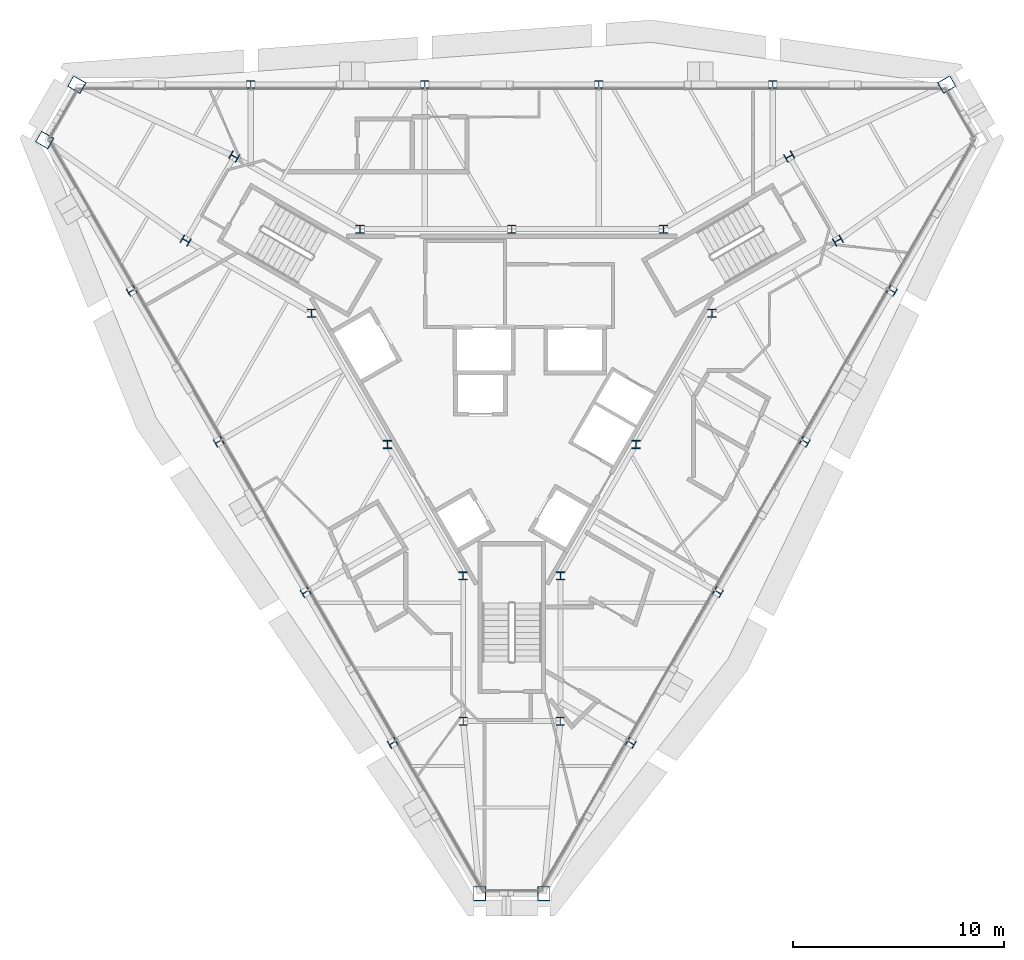
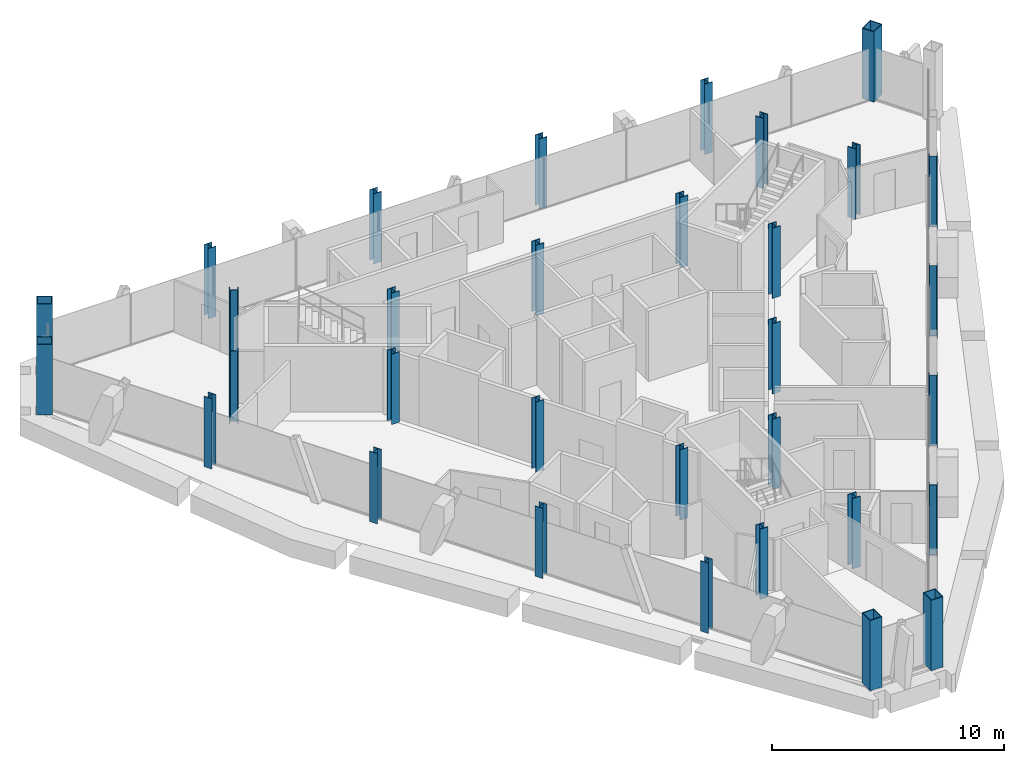
# One storey, part 1 of 12: 32 columns.
"""IFC4 building model written with IfcOpenShell, lengths in metres."""

from ifc_helpers import new_model, si_unit, direction, frame, origin, origin_2d, place, context, subcontext, project, spatial, hollow_rectangle, i_section, extrude, material, material_profile, profile_set, type_object, element, save


model = new_model("IFC4")

# Units and contexts
model_context = context("Model", 3, precision=1e-05, world=origin(), true_north=direction((0.0, 1.0)))
body_context = subcontext(model_context, "Body", "Model", "MODEL_VIEW")
ifc_project = project(units=[si_unit("LENGTHUNIT", "METRE"), si_unit("AREAUNIT", "SQUARE_METRE"), si_unit("VOLUMEUNIT", "CUBIC_METRE"), si_unit("PLANEANGLEUNIT", "RADIAN"), si_unit("MASSUNIT", "GRAM", prefix="KILO")], contexts=[model_context])

# Site, building, storey
site_placement = place(None, origin())
site = spatial("IfcSite", under=ifc_project, at=site_placement, CompositionType="ELEMENT")
building_placement = place(site_placement, origin())
building = spatial("IfcBuilding", under=site, at=building_placement, Name="Verrane Prism Tower", CompositionType="ELEMENT")
storey_placement = place(building_placement, frame((0.0, 0.0, 271.39990234375)))
storey = spatial("IfcBuildingStorey", under=building, at=storey_placement, Name="L68", CompositionType="ELEMENT", Elevation=271.39990234375)

# Columns
ifc_material_1 = material(Name="Steel A992", Category="steel")
ifc_material_profile_1 = material_profile(ifc_material_1, i_section(OverallWidth=0.4013671875, OverallDepth=0.398681640625, WebThickness=0.02490234375, FlangeThickness=0.03955078125, FilletRadius=0.01513671875, at=origin_2d()), Name="W14x211")
ifc_profile_set_1 = profile_set([ifc_material_profile_1], Name="Steel A992")
column_type_1 = type_object("IfcColumnType", Name="Core corner column W14x211", PredefinedType="COLUMN", material=ifc_profile_set_1)
for number, where, z_axis, x_axis, name in (
    (1, (15.43994140625, 6.260009765625, 0.0), (0.0, 0.0, 1.0), (0.5, -0.866025403784, 0.0), "Core corner column CK-NEm L68"),
    (2, (13.139892578125, 10.239990234375, 0.0), (0.0, 0.0, 1.0), (0.5, -0.866025403784, 0.0), "Core corner column CK-NEp L68"),
    (3, (-13.139892578125, 10.239990234375, 0.0), (0.0, 0.0, 1.0), (0.5, 0.866025403784, 0.0), "Core corner column CK-NWm L68"),
    (4, (-15.43994140625, 6.260009765625, 0.0), (0.0, 0.0, 1.0), (0.5, 0.866025403784, 0.0), "Core corner column CK-NWp L68"),
    (5, (-2.300048828125, -16.5, 0.0), (0.0, 0.0, 1.0), (-1.0, 0.0, 0.0), "Core corner column CK-Sm L68"),
    (6, (2.300048828125, -16.5, 0.0), (0.0, 0.0, 1.0), (-1.0, 0.0, 0.0), "Core corner column CK-Sp L68"),
):
    element("IfcColumn", number, at=place(storey_placement, frame(where, z_axis=z_axis, x_axis=x_axis)), inside=storey, type_object=column_type_1, Name=name, PredefinedType="COLUMN", context=body_context, shape_type="SweptSolid", body=[
        extrude(i_section(OverallWidth=0.4013671875, OverallDepth=0.398681640625, WebThickness=0.02490234375, FlangeThickness=0.03955078125, FilletRadius=0.01513671875, at=origin_2d()), origin(), (0.0, 0.0, 1.0), 3.7001953125),
    ])
ifc_material_2 = material(Name="Steel A992", Category="steel")
ifc_material_profile_2 = material_profile(ifc_material_2, i_section(OverallWidth=0.398681640625, OverallDepth=0.385986328125, WebThickness=0.02099609375, FlangeThickness=0.033203125, FilletRadius=0.01513671875, at=origin_2d()), Name="W14x176")
ifc_profile_set_2 = profile_set([ifc_material_profile_2], Name="Steel A992")
column_type_2 = type_object("IfcColumnType", Name="Core side column W14x176", PredefinedType="COLUMN", material=ifc_profile_set_2)
for number, where, z_axis, x_axis, name in (
    (7, (9.47998046875, 2.820068359375, 0.0), (0.0, 0.0, 1.0), (1.0, 0.0, 0.0), "Core side column CC-NEm L68"),
    (8, (7.179931640625, 6.800048828125, 0.0), (0.0, 0.0, 1.0), (1.0, 0.0, 0.0), "Core side column CC-NEp L68"),
    (9, (0.0, 6.800048828125, 0.0), (0.0, 0.0, 1.0), (1.0, 0.0, 0.0), "Core side column CC-N0 L68"),
    (10, (-7.179931640625, 6.800048828125, 0.0), (0.0, 0.0, 1.0), (1.0, 0.0, 0.0), "Core side column CC-NWm L68"),
    (11, (-9.47998046875, 2.820068359375, 0.0), (0.0, 0.0, 1.0), (1.0, 0.0, 0.0), "Core side column CC-NWp L68"),
    (12, (-5.889892578125, -3.39990234375, 0.0), (0.0, 0.0, 1.0), (1.0, 0.0, 0.0), "Core side column CC-SW0 L68"),
    (13, (-2.300048828125, -9.6201171875, 0.0), (0.0, 0.0, 1.0), (1.0, 0.0, 0.0), "Core side column CC-Sm L68"),
    (14, (2.300048828125, -9.6201171875, 0.0), (0.0, 0.0, 1.0), (1.0, 0.0, 0.0), "Core side column CC-Sp L68"),
    (15, (5.889892578125, -3.39990234375, 0.0), (0.0, 0.0, 1.0), (1.0, 0.0, 0.0), "Core side column CC-SE0 L68"),
):
    element("IfcColumn", number, at=place(storey_placement, frame(where, z_axis=z_axis, x_axis=x_axis)), inside=storey, type_object=column_type_2, Name=name, PredefinedType="COLUMN", context=body_context, shape_type="SweptSolid", body=[
        extrude(i_section(OverallWidth=0.398681640625, OverallDepth=0.385986328125, WebThickness=0.02099609375, FlangeThickness=0.033203125, FilletRadius=0.01513671875, at=origin_2d()), origin(), (0.0, 0.0, 1.0), 3.7001953125),
    ])
ifc_material_3 = material(Name="Steel A572 Grade 50", Category="steel")
ifc_material_profile_3 = material_profile(ifc_material_3, hollow_rectangle(XDim=0.60009765625, YDim=0.699951171875, WallThickness=0.0400390625, at=origin_2d()), Name="BOX 700x600x40")
ifc_profile_set_3 = profile_set([ifc_material_profile_3], Name="Steel A572 Grade 50")
column_type_3 = type_object("IfcColumnType", Name="Megacolumn BOX 700x600x40", PredefinedType="COLUMN", material=ifc_profile_set_3)
for number, where, z_axis, x_axis, name in (
    (16, (20.60009765625, 13.64990234375, 0.0), (0.0, 0.0, 1.0), (0.5, -0.866025403784, 0.0), "Megacolumn MC-NE.b L68"),
    (17, (-20.60009765625, 13.64990234375, 0.0), (0.0, 0.0, 1.0), (0.5, 0.866025403784, 0.0), "Megacolumn MC-NW.a L68"),
    (18, (-22.1201171875, 11.02001953125, 0.0), (0.0, 0.0, 1.0), (0.5, 0.866025403784, 0.0), "Megacolumn MC-NW.b L68"),
    (19, (-1.52001953125, -24.669921875, 0.0), (0.0, 0.0, 1.0), (-1.0, 0.0, 0.0), "Megacolumn MC-S.a L68"),
    (20, (1.52001953125, -24.669921875, 0.0), (0.0, 0.0, 1.0), (-1.0, 0.0, 0.0), "Megacolumn MC-S.b L68"),
):
    element("IfcColumn", number, at=place(storey_placement, frame(where, z_axis=z_axis, x_axis=x_axis)), inside=storey, type_object=column_type_3, Name=name, PredefinedType="COLUMN", context=body_context, shape_type="SweptSolid", body=[
        extrude(hollow_rectangle(XDim=0.60009765625, YDim=0.699951171875, WallThickness=0.0400390625, at=origin_2d()), origin(), (0.0, 0.0, 1.0), 3.7001953125),
    ])
ifc_material_4 = material(Name="Steel A992", Category="steel")
ifc_material_profile_4 = material_profile(ifc_material_4, i_section(OverallWidth=0.393798828125, OverallDepth=0.3759765625, WebThickness=0.017333984375, FlangeThickness=0.027587890625, FilletRadius=0.01513671875, at=origin_2d()), Name="W14x145")
ifc_profile_set_4 = profile_set([ifc_material_profile_4], Name="Steel A992")
column_type_4 = type_object("IfcColumnType", Name="Perimeter column W14x145", PredefinedType="COLUMN", material=ifc_profile_set_4)
for number, where, z_axis, x_axis, name in (
    (21, (12.360107421875, 13.64990234375, 0.0), (0.0, 0.0, 1.0), (1.0, 0.0, 0.0), "Perimeter column PC-N1 L68"),
    (22, (4.1201171875, 13.64990234375, 0.0), (0.0, 0.0, 1.0), (1.0, 0.0, 0.0), "Perimeter column PC-N2 L68"),
    (23, (-4.1201171875, 13.64990234375, 0.0), (0.0, 0.0, 1.0), (1.0, 0.0, 0.0), "Perimeter column PC-N3 L68"),
    (24, (-12.360107421875, 13.64990234375, 0.0), (0.0, 0.0, 1.0), (1.0, 0.0, 0.0), "Perimeter column PC-N4 L68"),
    (25, (-18.0, 3.8798828125, 0.0), (0.0, 0.0, 1.0), (-0.5, 0.866025403784, 0.0), "Perimeter column PC-SW1 L68"),
    (26, (-13.8798828125, -3.260009765625, 0.0), (0.0, 0.0, 1.0), (-0.5, 0.866025403784, 0.0), "Perimeter column PC-SW2 L68"),
    (27, (-9.760009765625, -10.389892578125, 0.0), (0.0, 0.0, 1.0), (-0.5, 0.866025403784, 0.0), "Perimeter column PC-SW3 L68"),
    (28, (-5.639892578125, -17.530029296875, 0.0), (0.0, 0.0, 1.0), (-0.5, 0.866025403784, 0.0), "Perimeter column PC-SW4 L68"),
    (29, (5.639892578125, -17.530029296875, 0.0), (0.0, 0.0, 1.0), (-0.5, -0.866025403784, 0.0), "Perimeter column PC-SE1 L68"),
    (30, (9.760009765625, -10.389892578125, 0.0), (0.0, 0.0, 1.0), (-0.5, -0.866025403784, 0.0), "Perimeter column PC-SE2 L68"),
    (31, (13.8798828125, -3.260009765625, 0.0), (0.0, 0.0, 1.0), (-0.5, -0.866025403784, 0.0), "Perimeter column PC-SE3 L68"),
    (32, (18.0, 3.8798828125, 0.0), (0.0, 0.0, 1.0), (-0.5, -0.866025403784, 0.0), "Perimeter column PC-SE4 L68"),
):
    element("IfcColumn", number, at=place(storey_placement, frame(where, z_axis=z_axis, x_axis=x_axis)), inside=storey, type_object=column_type_4, Name=name, PredefinedType="COLUMN", context=body_context, shape_type="SweptSolid", body=[
        extrude(i_section(OverallWidth=0.393798828125, OverallDepth=0.3759765625, WebThickness=0.017333984375, FlangeThickness=0.027587890625, FilletRadius=0.01513671875, at=origin_2d()), origin(), (0.0, 0.0, 1.0), 3.7001953125),
    ])

save(model, "model.ifc")
